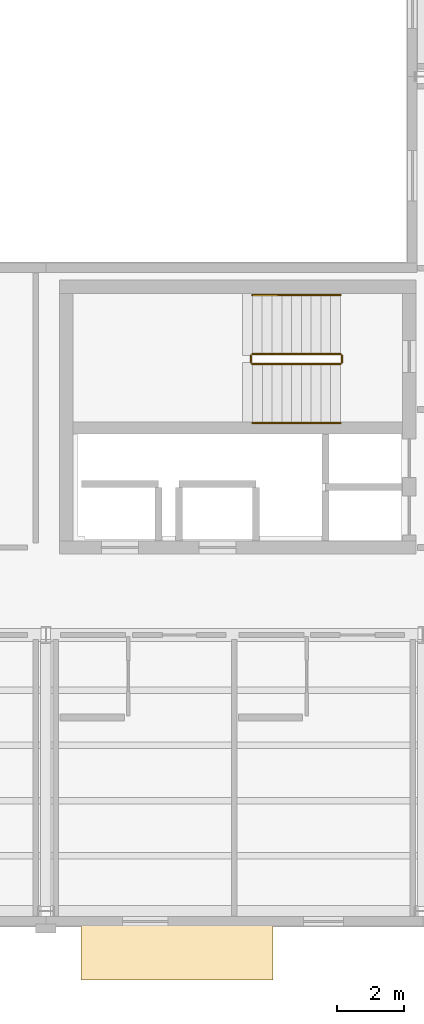
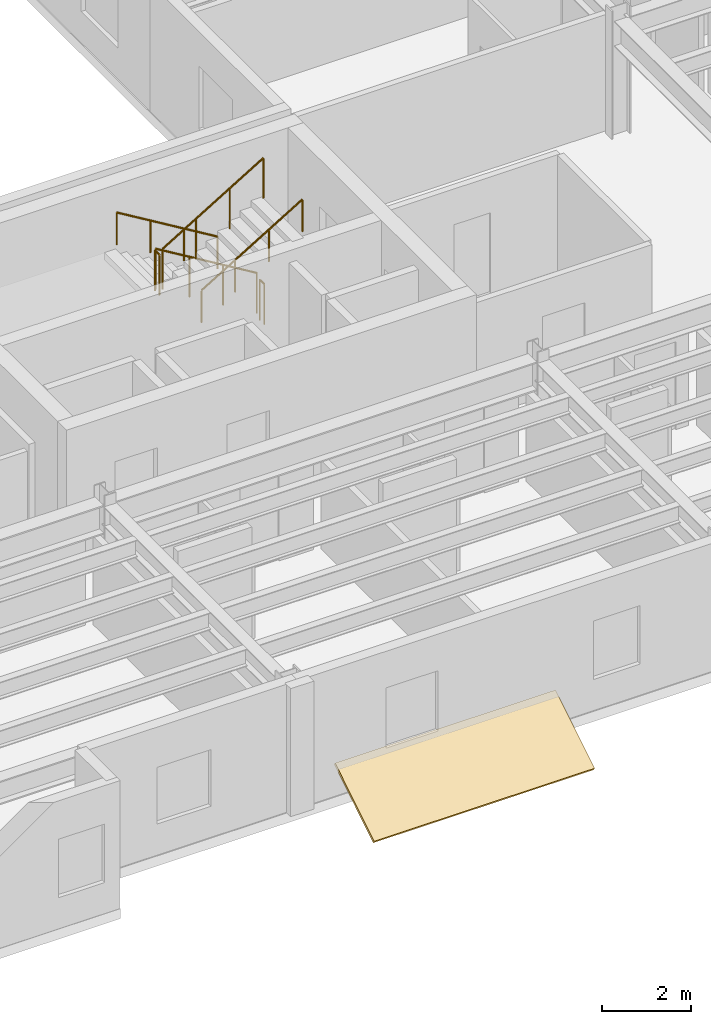
# One storey, part 16 of 17: 6 railings, 1 covering.
"""IFC4 building model written with IfcOpenShell, lengths in metres."""

from ifc_helpers import new_model, si_unit, direction, frame, origin, origin_2d, place, context, subcontext, project, spatial, polyline, circle, outline, extrude, material, layer, layer_set, type_object, element, save


model = new_model("IFC4")

# Units and contexts
model_context = context("Model", 3, precision=1e-05, world=origin(), true_north=direction((0.0, 1.0)))
body_context = subcontext(model_context, "Body", "Model", "MODEL_VIEW")
ifc_project = project(units=[si_unit("LENGTHUNIT", "METRE"), si_unit("AREAUNIT", "SQUARE_METRE"), si_unit("VOLUMEUNIT", "CUBIC_METRE"), si_unit("PLANEANGLEUNIT", "RADIAN"), si_unit("MASSUNIT", "GRAM", prefix="KILO")], contexts=[model_context])

# Site, building, storey
site_placement = place(None, origin())
site = spatial("IfcSite", under=ifc_project, at=site_placement, CompositionType="ELEMENT")
building_placement = place(site_placement, origin())
building = spatial("IfcBuilding", under=site, at=building_placement, Name="Sollismere Congress Hotel", CompositionType="ELEMENT")
storey_placement = place(building_placement, frame((0.0, 0.0, 41.10009765625)))
storey = spatial("IfcBuildingStorey", under=building, at=storey_placement, Name="L10", CompositionType="ELEMENT", Elevation=41.10009765625)

# Covering
ifc_material_1 = material(Name="Standing-Seam Titanium-Zinc Roof Assembly")
ifc_layer = layer(ifc_material_1, 0.054931640625, Name="Standing-Seam Titanium-Zinc Roof Assembly")
ifc_layer_set = layer_set([ifc_layer], Name="Standing-Seam Titanium-Zinc Roof Assembly")
covering_type = type_object("IfcCoveringType", Name="CV-RFZNC", PredefinedType="ROOFING", material=ifc_layer_set)
covering_placement = place(storey_placement, frame((137.050048828125, -2.008056640625, -0.36328125), z_axis=(0.0, -0.525209771298, 0.850972794003), x_axis=(1.0, 0.0, 0.0)))
element("IfcCovering", 1, at=covering_placement, inside=storey, type_object=covering_type, Name="Cikma bay sacak hood SL-CKH-30", PredefinedType="ROOFING", context=body_context, shape_type="SweptSolid", body=[
    extrude(outline(polyline([(0.0, 0.0), (5.699951171875, 0.0), (5.699951171875, 2.056396484375), (0.0, 2.056396484375), (0.0, 0.0)])), origin(), (0.0, 0.0, 1.0), 0.080078125),
])

# Railings
ifc_material_2 = material(Name="Steel ASTM A500 Grade C", Category="steel")
railing_type_1 = type_object("IfcRailingType", Name="RL-GRD112", PredefinedType="GUARDRAIL", material=ifc_material_2)
railing_1_placement = place(storey_placement, frame((144.75, 16.550048828125, 0.1748046875)))
element("IfcRailing", 2, at=railing_1_placement, inside=storey, type_object=railing_type_1, Name="RLG-RG-ST-01-L10-1", PredefinedType="GUARDRAIL", context=body_context, shape_type="SweptSolid", body=[
    extrude(circle(Radius=0.02392578125, at=origin_2d()), frame((0.0, 0.0, 1.09619140625), z_axis=(-0.85616872604, 0.0, 0.516696344627), x_axis=(0.0, -1.0, 0.0)), (0.0, 0.0, 1.0), 3.048583984375),
    extrude(circle(Radius=0.02099609375, at=origin_2d()), origin(), (0.0, 0.0, 1.0), 1.072021484375),
    extrude(circle(Radius=0.02099609375, at=origin_2d()), frame((-0.8701171875, 0.0, 0.525146484375)), (0.0, 0.0, 1.0), 1.072021484375),
    extrude(circle(Radius=0.02099609375, at=origin_2d()), frame((-1.739990234375, 0.0, 1.050048828125)), (0.0, 0.0, 1.0), 1.072021484375),
    extrude(circle(Radius=0.02099609375, at=origin_2d()), frame((-2.610107421875, 0.0, 1.5751953125)), (0.0, 0.0, 1.0), 1.072021484375),
])
railing_2_placement = place(storey_placement, frame((142.090087890625, 16.5, 1.75)))
element("IfcRailing", 3, at=railing_2_placement, inside=storey, type_object=railing_type_1, Name="RLG-RG-ST-01-L10-2", PredefinedType="GUARDRAIL", context=body_context, shape_type="SweptSolid", body=[
    extrude(circle(Radius=0.02392578125, at=origin_2d()), frame((0.0, 0.0, 1.09619140625), z_axis=(0.0, -1.0, 0.0), x_axis=(1.0, 0.0, 0.0)), (0.0, 0.0, 1.0), 0.199951171875),
    extrude(circle(Radius=0.02099609375, at=origin_2d()), origin(), (0.0, 0.0, 1.0), 1.072021484375),
    extrude(circle(Radius=0.02099609375, at=origin_2d()), frame((0.0, -0.199951171875, 0.0)), (0.0, 0.0, 1.0), 1.072021484375),
])
railing_3_placement = place(storey_placement, frame((142.139892578125, 16.25, 1.9248046875)))
element("IfcRailing", 4, at=railing_3_placement, inside=storey, type_object=railing_type_1, Name="RLG-RG-ST-01-L10-3", PredefinedType="GUARDRAIL", context=body_context, shape_type="SweptSolid", body=[
    extrude(circle(Radius=0.02392578125, at=origin_2d()), frame((0.0, 0.0, 1.09619140625), z_axis=(0.85616872604, 0.0, 0.516696344627), x_axis=(0.0, 1.0, 0.0)), (0.0, 0.0, 1.0), 3.048583984375),
    extrude(circle(Radius=0.02099609375, at=origin_2d()), origin(), (0.0, 0.0, 1.0), 1.072021484375),
    extrude(circle(Radius=0.02099609375, at=origin_2d()), frame((0.8701171875, 0.0, 0.525146484375)), (0.0, 0.0, 1.0), 1.072021484375),
    extrude(circle(Radius=0.02099609375, at=origin_2d()), frame((1.739990234375, 0.0, 1.050048828125)), (0.0, 0.0, 1.0), 1.072021484375),
    extrude(circle(Radius=0.02099609375, at=origin_2d()), frame((2.610107421875, 0.0, 1.5751953125)), (0.0, 0.0, 1.0), 1.072021484375),
])
railing_4_placement = place(storey_placement, frame((144.800048828125, 16.5, 0.0)))
element("IfcRailing", 5, at=railing_4_placement, inside=storey, type_object=railing_type_1, Name="RLG-RG-ST-01-L10-4", PredefinedType="GUARDRAIL", context=body_context, shape_type="SweptSolid", body=[
    extrude(circle(Radius=0.02392578125, at=origin_2d()), frame((0.0, 0.0, 1.09619140625), z_axis=(0.0, -1.0, 0.0), x_axis=(1.0, 0.0, 0.0)), (0.0, 0.0, 1.0), 0.199951171875),
    extrude(circle(Radius=0.02099609375, at=origin_2d()), origin(), (0.0, 0.0, 1.0), 1.072021484375),
    extrude(circle(Radius=0.02099609375, at=origin_2d()), frame((0.0, -0.199951171875, 0.0)), (0.0, 0.0, 1.0), 1.072021484375),
])
ifc_material_3 = material(Name="Brushed Architectural Bronze")
railing_type_2 = type_object("IfcRailingType", Name="RL-HND90", PredefinedType="HANDRAIL", material=ifc_material_3)
railing_5_placement = place(storey_placement, frame((144.75, 18.300048828125, 0.325927734375)))
element("IfcRailing", 6, at=railing_5_placement, inside=storey, type_object=railing_type_2, Name="RLG-RH-ST-01-L10-1", PredefinedType="HANDRAIL", context=body_context, shape_type="SweptSolid", body=[
    extrude(circle(Radius=0.02392578125, at=origin_2d()), frame((0.0, 0.0, 0.8759765625), z_axis=(-0.856204152608, 0.0, 0.516637638057), x_axis=(0.0, -1.0, 0.0)), (0.0, 0.0, 1.0), 3.048583984375),
    extrude(circle(Radius=0.02099609375, at=origin_2d()), origin(), (0.0, 0.0, 1.0), 0.851806640625),
    extrude(circle(Radius=0.02099609375, at=origin_2d()), frame((-0.8701171875, 0.0, 0.52490234375)), (0.0, 0.0, 1.0), 0.851806640625),
    extrude(circle(Radius=0.02099609375, at=origin_2d()), frame((-1.739990234375, 0.0, 1.050048828125)), (0.0, 0.0, 1.0), 0.851806640625),
    extrude(circle(Radius=0.02099609375, at=origin_2d()), frame((-2.610107421875, 0.0, 1.574951171875)), (0.0, 0.0, 1.0), 0.851806640625),
])
railing_6_placement = place(storey_placement, frame((142.139892578125, 14.5, 2.075927734375)))
element("IfcRailing", 7, at=railing_6_placement, inside=storey, type_object=railing_type_2, Name="RLG-RH-ST-01-L10-2", PredefinedType="HANDRAIL", context=body_context, shape_type="SweptSolid", body=[
    extrude(circle(Radius=0.02392578125, at=origin_2d()), frame((0.0, 0.0, 0.8759765625), z_axis=(0.856204152608, 0.0, 0.516637638057), x_axis=(0.0, 1.0, 0.0)), (0.0, 0.0, 1.0), 3.048583984375),
    extrude(circle(Radius=0.02099609375, at=origin_2d()), origin(), (0.0, 0.0, 1.0), 0.851806640625),
    extrude(circle(Radius=0.02099609375, at=origin_2d()), frame((0.8701171875, 0.0, 0.52490234375)), (0.0, 0.0, 1.0), 0.851806640625),
    extrude(circle(Radius=0.02099609375, at=origin_2d()), frame((1.739990234375, 0.0, 1.050048828125)), (0.0, 0.0, 1.0), 0.851806640625),
    extrude(circle(Radius=0.02099609375, at=origin_2d()), frame((2.610107421875, 0.0, 1.574951171875)), (0.0, 0.0, 1.0), 0.851806640625),
])

save(model, "model.ifc")
